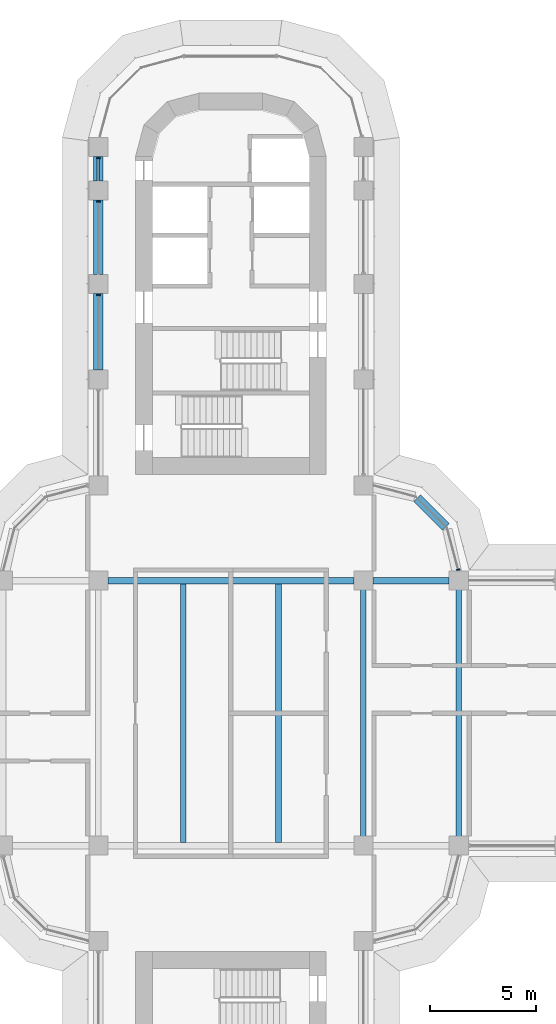
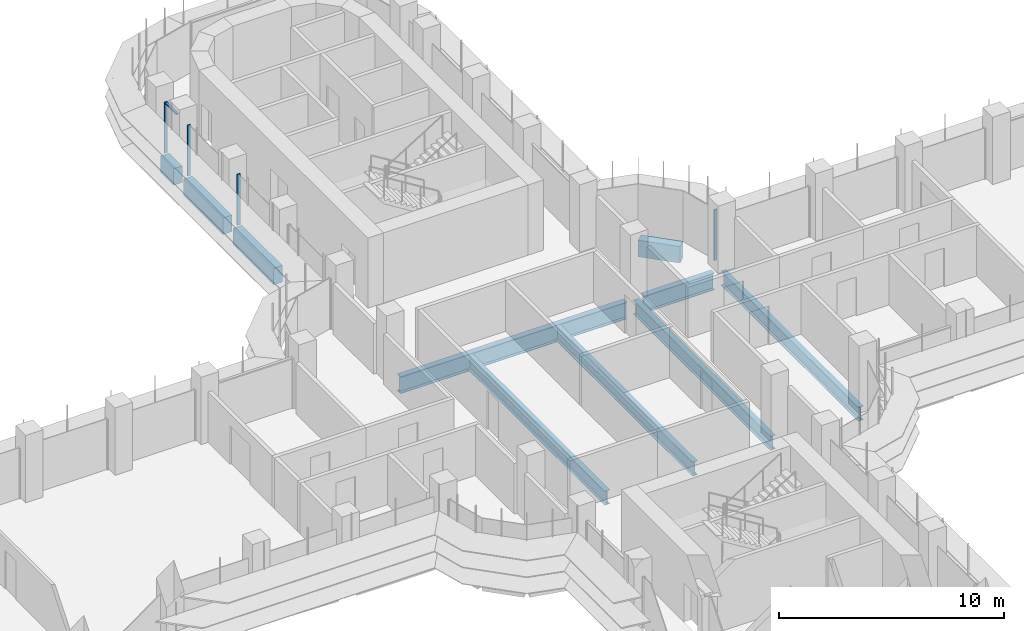
# One storey, part 7 of 22: 10 beams, 5 members, 2 elements without a shape of their own.
"""IFC4 building model written with IfcOpenShell, lengths in metres."""

import ifcopenshell
import ifcopenshell.guid

model = None  # the IFC model being written
_history = None  # IfcOwnerHistory: only IFC2X3 demands one
_inside = {}  # id of a spatial element -> (the spatial element, [elements in it])
_under = {}  # id of a project, library or spatial element -> (it, [spatial elements below it])
_declared = {}  # id of a project -> (the project, [libraries it declares])
_typed = {}  # id of a type object -> (the type object, [elements of that type])
_made_of = {}  # id of a material, layer set ... -> (it, [elements and type objects made of it])


def new_model(schema):
    """Start an empty IFC model of exactly this schema.

    Asked for "IFC4X3", IfcOpenShell would pick the latest addendum, in which some entities
    have other attributes; the version numbers below select the first issue.
    IFC2X3 requires an IfcOwnerHistory on every rooted entity: one is made here for all.
    """
    global model, _history
    if schema == "IFC4X3":
        model = ifcopenshell.file(schema_version=(4, 3, 0, 0))
    else:
        model = ifcopenshell.file(schema=schema)
    _inside.clear()
    _under.clear()
    _declared.clear()
    _typed.clear()
    _made_of.clear()
    _history = None
    if model.schema == "IFC2X3":
        org = make("IfcOrganization", Name="unknown")
        user = make(
            "IfcPersonAndOrganization",
            ThePerson=make("IfcPerson", FamilyName="unknown"),
            TheOrganization=org,
        )
        app = make(
            "IfcApplication",
            ApplicationDeveloper=org,
            Version="unknown",
            ApplicationFullName="unknown",
            ApplicationIdentifier="unknown",
        )
        _history = make(
            "IfcOwnerHistory",
            OwningUser=user,
            OwningApplication=app,
            ChangeAction="ADDED",
            CreationDate=0,
        )
    return model


def make(cls, **values):
    """One entity of the class cls with the attributes given. An attribute that is None is left unset."""
    return model.create_entity(
        cls, **{name: value for name, value in values.items() if value is not None}
    )


def rooted(cls, **values):
    """An entity with a GlobalId (a new one), such as an element, a storey or a relation."""
    return make(cls, GlobalId=ifcopenshell.guid.new(), OwnerHistory=_history, **values)


def si_unit(unit_type, name, prefix=None):
    """IfcSIUnit, for example si_unit("LENGTHUNIT", "METRE", prefix="MILLI")."""
    return make("IfcSIUnit", UnitType=unit_type, Prefix=prefix, Name=name)


def assignment(units):
    """IfcUnitAssignment: the units of a project."""
    return None if units is None else make("IfcUnitAssignment", Units=units)


def point(xyz):
    """IfcCartesianPoint."""
    return None if xyz is None else make("IfcCartesianPoint", Coordinates=xyz)


def direction(xyz):
    """IfcDirection."""
    return None if xyz is None else make("IfcDirection", DirectionRatios=xyz)


def frame(location, z_axis=None, x_axis=None):
    """IfcAxis2Placement3D, a coordinate frame: its origin and axes. An axis left out is left unset."""
    return make(
        "IfcAxis2Placement3D",
        Location=point(location),
        Axis=direction(z_axis),
        RefDirection=direction(x_axis),
    )


def frame_2d(location, x_axis=None):
    """IfcAxis2Placement2D, a coordinate frame in the plane: its origin and x axis."""
    return make(
        "IfcAxis2Placement2D", Location=point(location), RefDirection=direction(x_axis)
    )


def origin():
    """The frame at (0, 0, 0) with its axes left unset."""
    return frame((0.0, 0.0, 0.0))


def origin_2d():
    """The frame at (0, 0) in the plane with its x axis left unset."""
    return frame_2d((0.0, 0.0))


def place(relative_to, where):
    """IfcLocalPlacement: puts the frame where relative to a parent placement (None: the world)."""
    return make(
        "IfcLocalPlacement", PlacementRelTo=relative_to, RelativePlacement=where
    )


def context(
    kind, dimensions, precision=None, world=None, true_north=None, identifier=None
):
    """IfcGeometricRepresentationContext, for example the 3D "Model" context."""
    return make(
        "IfcGeometricRepresentationContext",
        ContextIdentifier=identifier,
        ContextType=kind,
        CoordinateSpaceDimension=dimensions,
        Precision=precision,
        WorldCoordinateSystem=world,
        TrueNorth=true_north,
    )


def subcontext(parent, identifier, kind, view, scale=None):
    """IfcGeometricRepresentationSubContext, for example "Body" below "Model"."""
    return make(
        "IfcGeometricRepresentationSubContext",
        ContextIdentifier=identifier,
        ContextType=kind,
        ParentContext=parent,
        TargetScale=scale,
        TargetView=view,
    )


def project(units=None, contexts=None):
    """IfcProject with its units and contexts."""
    return rooted(
        "IfcProject",
        Name="project",
        RepresentationContexts=contexts,
        UnitsInContext=assignment(units),
    )


def spatial(cls, under=None, at=None, **own):
    """A site, building, storey or space (cls), placed at a placement, below another one or the project."""
    s = rooted(cls, ObjectPlacement=at, **own)
    if under is not None:
        _under.setdefault(under.id(), (under, []))[1].append(s)
    return s


def polyline(points):
    """IfcPolyline through the points."""
    return make("IfcPolyline", Points=[point(p) for p in points])


def profile(cls, at=None, kind="AREA", **sizes):
    """A parametric profile (cls). Its sizes go by their IFC names, for example OverallWidth=200.0."""
    return make(cls, ProfileType=kind, Position=at, **sizes)


def rectangle(**sizes):
    """IfcRectangleProfileDef."""
    return profile("IfcRectangleProfileDef", **sizes)


def i_section(**sizes):
    """IfcIShapeProfileDef."""
    return profile("IfcIShapeProfileDef", **sizes)


def outline(outer, holes=None, kind="AREA"):
    """IfcArbitraryClosedProfileDef: a profile drawn as a closed curve; with holes, ...WithVoids."""
    if holes is None:
        return make("IfcArbitraryClosedProfileDef", ProfileType=kind, OuterCurve=outer)
    return make(
        "IfcArbitraryProfileDefWithVoids",
        ProfileType=kind,
        OuterCurve=outer,
        InnerCurves=holes,
    )


def extrude(swept, where, along, depth):
    """IfcExtrudedAreaSolid: the profile swept, set in the frame where, extruded along a direction by depth."""
    return make(
        "IfcExtrudedAreaSolid",
        SweptArea=swept,
        Position=where,
        ExtrudedDirection=direction(along),
        Depth=depth,
    )


def shape(context_of_items, identifier, shape_type, items):
    """IfcShapeRepresentation: the items that make up one representation, for example the "Body"."""
    return make(
        "IfcShapeRepresentation",
        ContextOfItems=context_of_items,
        RepresentationIdentifier=identifier,
        RepresentationType=shape_type,
        Items=items,
    )


def source(mapping_origin, context_of_items, identifier, shape_type, items):
    """IfcRepresentationMap: a shape defined once, which mapped items show again and again."""
    return make(
        "IfcRepresentationMap",
        MappingOrigin=mapping_origin,
        MappedRepresentation=shape(context_of_items, identifier, shape_type, items),
    )


def transform(
    local_origin,
    x_axis=None,
    y_axis=None,
    z_axis=None,
    scale=None,
    scale2=None,
    scale3=None,
    uniform=True,
):
    """IfcCartesianTransformationOperator3D, or its non-uniform kind. x_axis, y_axis, z_axis: its Axis1, 2, 3."""
    if uniform:
        return make(
            "IfcCartesianTransformationOperator3D",
            Axis1=direction(x_axis),
            Axis2=direction(y_axis),
            LocalOrigin=point(local_origin),
            Scale=scale,
            Axis3=direction(z_axis),
        )
    return make(
        "IfcCartesianTransformationOperator3DnonUniform",
        Axis1=direction(x_axis),
        Axis2=direction(y_axis),
        LocalOrigin=point(local_origin),
        Scale=scale,
        Axis3=direction(z_axis),
        Scale2=scale2,
        Scale3=scale3,
    )


def mapped(mapping_source, mapping_target):
    """IfcMappedItem: shows the shape of a source again, moved by a transform."""
    return make(
        "IfcMappedItem", MappingSource=mapping_source, MappingTarget=mapping_target
    )


def material(Name=None, Category=None):
    """IfcMaterial."""
    return make("IfcMaterial", Name=Name, Category=Category)


def material_profile(
    of_material, cross_section, Name=None, Category=None, Priority=None
):
    """IfcMaterialProfile: a cross section and its material."""
    return make(
        "IfcMaterialProfile",
        Name=Name,
        Material=of_material,
        Profile=cross_section,
        Priority=Priority,
        Category=Category,
    )


def profile_set(profiles, Name=None, composite=None):
    """IfcMaterialProfileSet."""
    return make(
        "IfcMaterialProfileSet",
        Name=Name,
        MaterialProfiles=profiles,
        CompositeProfile=composite,
    )


def made_of(thing, what):
    """Note that an element or type object is made of a material, layer set ...; save() writes the relation."""
    if what is not None:
        _made_of.setdefault(what.id(), (what, []))[1].append(thing)
    return thing


def type_object(cls, material=None, **own):
    """A type object (cls), such as IfcWallType, which elements share."""
    return made_of(rooted(cls, **own), material)


def element(
    cls,
    number,
    at=None,
    inside=None,
    cuts=None,
    type_object=None,
    material=None,
    context=None,
    identifier="Body",
    shape_type=None,
    held_by="IfcProductDefinitionShape",
    body=None,
    shapes=None,
    **own,
):
    """One element of the class cls, such as IfcWall. Its Tag is "e" and its number.

    at: its placement. inside: the storey or other place that contains it. cuts: it is an
    opening in that element (IfcRelVoidsElement). A single representation is given by context,
    identifier, shape_type and body (its items); several are given by shapes. held_by: the class
    of the entity that holds the representations. save() writes the other relations.
    """
    e = rooted(cls, Tag="e%d" % number, ObjectPlacement=at, **own)
    if body is not None:
        shapes = [shape(context, identifier, shape_type, body)]
    if shapes is not None:
        e.Representation = make(held_by, Representations=shapes)
    if inside is not None:
        _inside.setdefault(inside.id(), (inside, []))[1].append(e)
    if cuts is not None:
        rooted(
            "IfcRelVoidsElement", RelatingBuildingElement=cuts, RelatedOpeningElement=e
        )
    if type_object is not None:
        _typed.setdefault(type_object.id(), (type_object, []))[1].append(e)
    return made_of(e, material)


def aggregate(whole, parts):
    """IfcRelAggregates: a whole, such as a stair, and the parts it consists of."""
    return rooted("IfcRelAggregates", RelatingObject=whole, RelatedObjects=parts)


def save(model, path):
    """Write the relations noted so far, then the file.

    IfcRelAggregates (storeys below a building ...), IfcRelContainedInSpatialStructure (elements
    in a storey), IfcRelDefinesByType, IfcRelAssociatesMaterial and IfcRelDeclares: one each for
    every whole, place, type object, material and project.
    """
    for whole, parts in _under.values():
        aggregate(whole, parts)
    for where, things in _inside.values():
        rooted(
            "IfcRelContainedInSpatialStructure",
            RelatedElements=things,
            RelatingStructure=where,
        )
    for kind, things in _typed.values():
        rooted("IfcRelDefinesByType", RelatedObjects=things, RelatingType=kind)
    for what, things in _made_of.values():
        rooted("IfcRelAssociatesMaterial", RelatedObjects=things, RelatingMaterial=what)
    for by, libraries in _declared.values():
        rooted("IfcRelDeclares", RelatingContext=by, RelatedDefinitions=libraries)
    model.write(path)


model = new_model("IFC4")

# Units and contexts
model_context = context("Model", 3, precision=1e-05, world=origin(), true_north=direction((0.0, 1.0)))
body_context = subcontext(model_context, "Body", "Model", "MODEL_VIEW")
ifc_project = project(units=[si_unit("LENGTHUNIT", "METRE"), si_unit("AREAUNIT", "SQUARE_METRE"), si_unit("VOLUMEUNIT", "CUBIC_METRE"), si_unit("PLANEANGLEUNIT", "RADIAN"), si_unit("MASSUNIT", "GRAM", prefix="KILO")], contexts=[model_context])

# Site, building, storey
site_placement = place(None, origin())
site = spatial("IfcSite", under=ifc_project, at=site_placement, CompositionType="ELEMENT")
building_placement = place(site_placement, origin())
building = spatial("IfcBuilding", under=site, at=building_placement, Name="Zarbagh Exchange Tower", CompositionType="ELEMENT")
storey_placement = place(building_placement, frame((0.0, 0.0, 132.199951171875)))
storey = spatial("IfcBuildingStorey", under=building, at=storey_placement, Name="L31", CompositionType="ELEMENT", Elevation=132.199951171875)

# Beams
ifc_material_1 = material(Name="Steel ASTM A992 Gr 50", Category="steel")
ifc_material_profile_1 = material_profile(ifc_material_1, i_section(OverallWidth=0.2666015625, OverallDepth=0.7568359375, WebThickness=0.013916015625, FlangeThickness=0.019287109375, at=origin_2d()), Name="W30X108")
ifc_profile_set_1 = profile_set([ifc_material_profile_1], Name="Steel ASTM A992 Gr 50")
beam_type_1 = type_object("IfcBeamType", Name="Floor beam W30X108", PredefinedType="BEAM", material=ifc_profile_set_1)
for number, where, z_axis, x_axis, name in (
    (1, (-2.25, -6.09765625, -0.5283203125), (0.0, 1.0, 0.0), (-1.0, 0.0, 0.0), "Steel floor beam"),
    (2, (2.25, -6.09765625, -0.5283203125), (0.0, 1.0, 0.0), (-1.0, 0.0, 0.0), "Steel floor beam"),
    (3, (6.25, -6.09765625, -0.5283203125), (0.0, 1.0, 0.0), (-1.0, 0.0, 0.0), "Steel floor beam"),
    (4, (10.75, -6.09765625, -0.5283203125), (0.0, 1.0, 0.0), (-1.0, 0.0, 0.0), "Steel floor beam"),
):
    element("IfcBeam", number, at=place(storey_placement, frame(where, z_axis=z_axis, x_axis=x_axis)), inside=storey, type_object=beam_type_1, Name=name, PredefinedType="BEAM", context=body_context, shape_type="SweptSolid", body=[
        extrude(i_section(OverallWidth=0.2666015625, OverallDepth=0.7568359375, WebThickness=0.013916015625, FlangeThickness=0.019287109375, at=origin_2d()), origin(), (0.0, 0.0, 1.0), 12.1953125),
    ])
ifc_material_profile_2 = material_profile(ifc_material_1, i_section(OverallWidth=0.3046875, OverallDepth=0.911865234375, WebThickness=0.015869140625, FlangeThickness=0.02392578125, at=origin_2d()), Name="W36X150")
ifc_profile_set_2 = profile_set([ifc_material_profile_2], Name="Steel ASTM A992 Gr 50")
beam_type_2 = type_object("IfcBeamType", Name="Floor girder W36X150", PredefinedType="BEAM", material=ifc_profile_set_2)
beam_1_placement = place(storey_placement, frame((-5.800048828125, 6.25, -0.60595703125), z_axis=(1.0, 0.0, 0.0), x_axis=(0.0, 1.0, 0.0)))
element("IfcBeam", 5, at=beam_1_placement, inside=storey, type_object=beam_type_2, Name="Steel girder", PredefinedType="BEAM", context=body_context, shape_type="SweptSolid", body=[
    extrude(i_section(OverallWidth=0.3046875, OverallDepth=0.911865234375, WebThickness=0.015869140625, FlangeThickness=0.02392578125, at=origin_2d()), origin(), (0.0, 0.0, 1.0), 11.60009765625),
])
beam_2_placement = place(storey_placement, frame((6.699951171875, 6.25, -0.60595703125), z_axis=(1.0, 0.0, 0.0), x_axis=(0.0, 1.0, 0.0)))
element("IfcBeam", 6, at=beam_2_placement, inside=storey, type_object=beam_type_2, Name="Steel girder", PredefinedType="BEAM", context=body_context, shape_type="SweptSolid", body=[
    extrude(i_section(OverallWidth=0.3046875, OverallDepth=0.911865234375, WebThickness=0.015869140625, FlangeThickness=0.02392578125, at=origin_2d()), origin(), (0.0, 0.0, 1.0), 3.60009765625),
])
ifc_material_2 = material(Name="Concrete C60/75", Category="concrete")
ifc_material_profile_3 = material_profile(ifc_material_2, rectangle(XDim=0.449951171875, YDim=0.89990234375, at=origin_2d()), Name="RC spandrel beam 450 x 900 C60/75")
ifc_profile_set_3 = profile_set([ifc_material_profile_3], Name="Concrete C60/75")
beam_type_3 = type_object("IfcBeamType", Name="RC spandrel beam 450 x 900 C60/75", PredefinedType="SPANDREL", material=ifc_profile_set_3)
beam_3_placement = place(storey_placement, frame((-6.25, 16.199951171875, -0.599853515625), z_axis=(0.0, 1.0, 0.0), x_axis=(-1.0, 0.0, 0.0)))
element("IfcBeam", 7, at=beam_3_placement, inside=storey, type_object=beam_type_3, Name="RC spandrel beam", PredefinedType="SPANDREL", context=body_context, shape_type="SweptSolid", body=[
    extrude(rectangle(XDim=0.449951171875, YDim=0.89990234375, at=origin_2d()), origin(), (0.0, 0.0, 1.0), 3.60009765625),
])
beam_4_placement = place(storey_placement, frame((-6.25, 20.699951171875, -0.599853515625), z_axis=(0.0, 1.0, 0.0), x_axis=(-1.0, 0.0, 0.0)))
element("IfcBeam", 8, at=beam_4_placement, inside=storey, type_object=beam_type_3, Name="RC spandrel beam", PredefinedType="SPANDREL", context=body_context, shape_type="SweptSolid", body=[
    extrude(rectangle(XDim=0.449951171875, YDim=0.89990234375, at=origin_2d()), origin(), (0.0, 0.0, 1.0), 3.5),
])
beam_5_placement = place(storey_placement, frame((-6.25, 25.10009765625, -0.599853515625), z_axis=(0.0, 1.0, 0.0), x_axis=(-1.0, 0.0, 0.0)))
element("IfcBeam", 9, at=beam_5_placement, inside=storey, type_object=beam_type_3, Name="RC spandrel beam", PredefinedType="SPANDREL", context=body_context, shape_type="SweptSolid", body=[
    extrude(rectangle(XDim=0.449951171875, YDim=0.89990234375, at=origin_2d()), origin(), (0.0, 0.0, 1.0), 1.14990234375),
])
beam_6_placement = place(storey_placement, frame((8.78759765625, 10.15234375, -0.599853515625), z_axis=(0.707106781187, -0.707106781187, 0.0), x_axis=(0.707106781187, 0.707106781187, 0.0)))
element("IfcBeam", 10, at=beam_6_placement, inside=storey, type_object=beam_type_3, Name="RC spandrel beam", PredefinedType="SPANDREL", context=body_context, shape_type="SweptSolid", body=[
    extrude(rectangle(XDim=0.449951171875, YDim=0.89990234375, at=origin_2d()), origin(), (0.0, 0.0, 1.0), 1.929931640625),
])

# Curtain wall, member
ifc_material_3 = material(Name="Anodised aluminium frame and glazing", Category="aluminium")
curtain_wall_type = type_object("IfcCurtainWallType", Name="CWA Ribbon glazing, lower zones", PredefinedType="NOTDEFINED", material=ifc_material_3)
curtain_wall_1_placement = place(storey_placement, origin())
curtain_wall_1 = element("IfcCurtainWall", 11, at=curtain_wall_1_placement, inside=storey, type_object=curtain_wall_type, Name="CWA17 curtain wall", PredefinedType="NOTDEFINED")
ifc_material_4 = material(Name="Anodised aluminium frame", Category="aluminium")
member_type_1 = type_object("IfcMemberType", Name="MUA Mullion, anodised aluminium frame", PredefinedType="MULLION", material=ifc_material_4)
shared_shape_1 = source(origin(), body_context, "Body", "SweptSolid", [
    extrude(outline(polyline([(0.0, -0.080078125), (0.06005859375, -0.080078125), (0.06005859375, 0.080078125), (0.0, 0.080078125), (0.0, -0.080078125)])), origin(), (0.0, 0.0, 1.0), 2.75),
])
placement = place(storey_placement, origin())
member_1 = element("IfcMember", 12, at=placement, type_object=member_type_1, Name="CWA17 mullion 1.1", PredefinedType="MULLION", context=body_context, shape_type="MappedRepresentation", body=[
    mapped(shared_shape_1, transform((10.735107421875, 6.739990234375, 0.0), x_axis=(-0.258824779902, 0.965924289636, 0.0), y_axis=(-0.965924289636, -0.258824779902, 0.0), z_axis=(0.0, 0.0, 1.0))),
])
aggregate(curtain_wall_1, [member_1])

# Curtain wall, members
curtain_wall_2_placement = place(storey_placement, origin())
curtain_wall_2 = element("IfcCurtainWall", 13, at=curtain_wall_2_placement, inside=storey, type_object=curtain_wall_type, Name="CWA56 curtain wall", PredefinedType="NOTDEFINED")
member_2 = element("IfcMember", 14, at=placement, type_object=member_type_1, Name="CWA56 mullion 1.1", PredefinedType="MULLION", context=body_context, shape_type="MappedRepresentation", body=[
    mapped(shared_shape_1, transform((-6.25, 26.2099609375, 0.0), x_axis=(0.0, -1.0, 0.0), y_axis=(1.0, 0.0, 0.0), z_axis=(0.0, 0.0, 1.0))),
])
member_3 = element("IfcMember", 15, at=placement, type_object=member_type_1, Name="CWA56 mullion 2.1", PredefinedType="MULLION", context=body_context, shape_type="MappedRepresentation", body=[
    mapped(shared_shape_1, transform((-6.25, 24.159912109375, 0.0), x_axis=(0.0, -1.0, 0.0), y_axis=(1.0, 0.0, 0.0), z_axis=(0.0, 0.0, 1.0))),
])
member_4 = element("IfcMember", 16, at=placement, type_object=member_type_1, Name="CWA56 mullion 3.1", PredefinedType="MULLION", context=body_context, shape_type="MappedRepresentation", body=[
    mapped(shared_shape_1, transform((-6.25, 19.760009765625, 0.0), x_axis=(0.0, -1.0, 0.0), y_axis=(1.0, 0.0, 0.0), z_axis=(0.0, 0.0, 1.0))),
])
member_type_2 = type_object("IfcMemberType", Name="TRA Transom, anodised aluminium frame", PredefinedType="USERDEFINED", material=ifc_material_4)
shared_shape_2 = source(origin(), body_context, "Body", "SweptSolid", [
    extrude(outline(polyline([(-0.06005859375, -0.06005859375), (0.0, -0.06005859375), (0.0, 0.06005859375), (-0.06005859375, 0.06005859375), (-0.06005859375, -0.06005859375)])), origin(), (0.0, 0.0, 1.0), 1.010009765625),
])
member_5 = element("IfcMember", 17, at=placement, type_object=member_type_2, Name="CWA56 transom 1.1", ObjectType="TRANSOM", PredefinedType="USERDEFINED", context=body_context, shape_type="MappedRepresentation", body=[
    mapped(shared_shape_2, transform((-6.25, 26.14990234375, 2.75), x_axis=(0.0, 0.0, 1.0), y_axis=(-1.0, 0.0, 0.0), z_axis=(0.0, -1.0, 0.0))),
])
aggregate(curtain_wall_2, [member_2, member_5, member_3, member_4])

save(model, "model.ifc")
